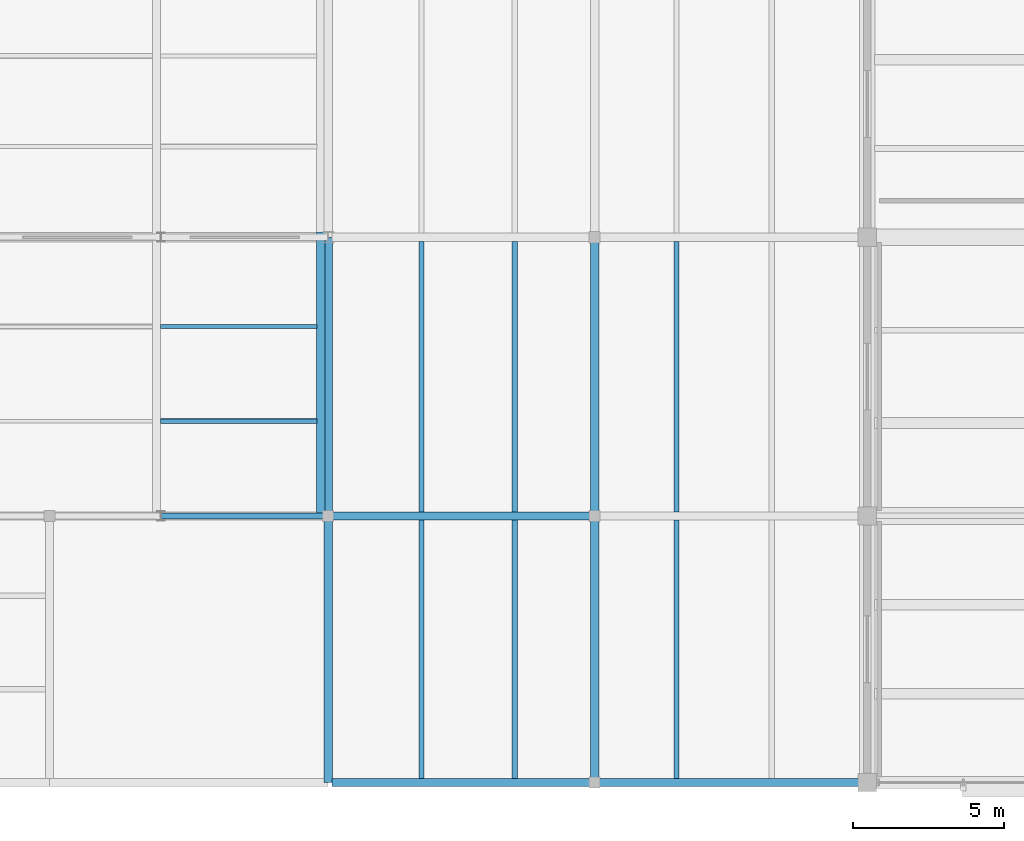
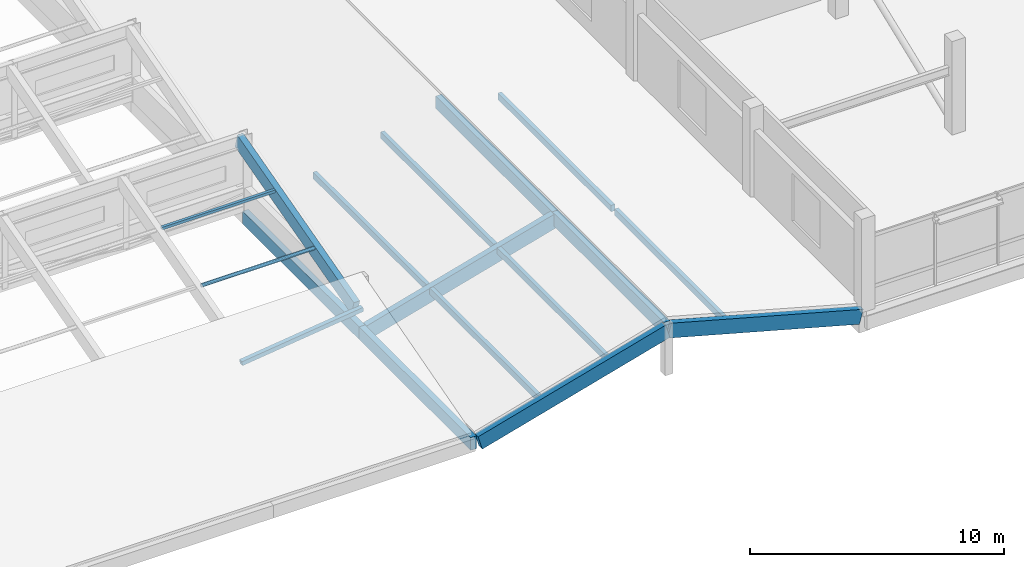
# One storey, part 12 of 77: 9 members, 8 beams.
"""IFC4 building model written with IfcOpenShell, lengths in metres."""

from ifc_helpers import new_model, si_unit, direction, frame, origin, origin_2d, place, context, subcontext, project, spatial, rectangle, hollow_rectangle, hollow_circle, extrude, material, material_profile, profile_set, type_object, element, save


model = new_model("IFC4")

# Units and contexts
model_context = context("Model", 3, precision=1e-05, world=origin(), true_north=direction((0.0, 1.0)))
body_context = subcontext(model_context, "Body", "Model", "MODEL_VIEW")
ifc_project = project(units=[si_unit("LENGTHUNIT", "METRE"), si_unit("AREAUNIT", "SQUARE_METRE"), si_unit("VOLUMEUNIT", "CUBIC_METRE"), si_unit("PLANEANGLEUNIT", "RADIAN"), si_unit("MASSUNIT", "GRAM", prefix="KILO")], contexts=[model_context])

# Site, building, storey
site_placement = place(None, origin())
site = spatial("IfcSite", under=ifc_project, at=site_placement, CompositionType="ELEMENT")
building_placement = place(site_placement, origin())
building = spatial("IfcBuilding", under=site, at=building_placement, Name="Meriwether Solvik Hall", CompositionType="ELEMENT")
storey_placement = place(building_placement, frame((0.0, 0.0, 9.89990234375)))
storey = spatial("IfcBuildingStorey", under=building, at=storey_placement, Name="L02", CompositionType="ELEMENT", Elevation=9.89990234375)

# Beams
ifc_material_1 = material(Name="Glulam Douglas-Fir 24F-V8 GL28h", Category="wood")
ifc_material_profile_1 = material_profile(ifc_material_1, rectangle(XDim=0.27294921875, YDim=0.610107421875, at=origin_2d()), Name="GLB-273X610")
ifc_profile_set_1 = profile_set([ifc_material_profile_1], Name="Glulam Douglas-Fir 24F-V8 GL28h")
beam_type_1 = type_object("IfcBeamType", Name="BM-GL-273X610", PredefinedType="SPANDREL", material=ifc_profile_set_1)
beam_1_placement = place(storey_placement, frame((41.60009765625, 5.199951171875, -0.323974609375), z_axis=(0.0, 1.0, 0.0), x_axis=(-1.0, 0.0, 0.0)))
element("IfcBeam", 1, at=beam_1_placement, inside=storey, type_object=beam_type_1, Name="Roof Tie Beam 5:A-B (L02)", PredefinedType="SPANDREL", context=body_context, shape_type="SweptSolid", body=[
    extrude(rectangle(XDim=0.27294921875, YDim=0.610107421875, at=origin_2d()), origin(), (0.0, 0.0, 1.0), 8.800048828125),
])
beam_2_placement = place(storey_placement, frame((41.60009765625, 14.0, -0.323974609375), z_axis=(0.0, 1.0, 0.0), x_axis=(-1.0, 0.0, 0.0)))
element("IfcBeam", 2, at=beam_2_placement, inside=storey, type_object=beam_type_1, Name="Roof Tie Beam 5:B-C (L02)", PredefinedType="SPANDREL", context=body_context, shape_type="SweptSolid", body=[
    extrude(rectangle(XDim=0.27294921875, YDim=0.610107421875, at=origin_2d()), origin(), (0.0, 0.0, 1.0), 9.199951171875),
])
beam_3_placement = place(storey_placement, frame((50.39990234375, 5.199951171875, 2.135986328125), z_axis=(0.0, 1.0, 0.0), x_axis=(-1.0, 0.0, 0.0)))
element("IfcBeam", 3, at=beam_3_placement, inside=storey, type_object=beam_type_1, Name="Roof Tie Beam 6:A-B (L02)", PredefinedType="SPANDREL", context=body_context, shape_type="SweptSolid", body=[
    extrude(rectangle(XDim=0.27294921875, YDim=0.610107421875, at=origin_2d()), origin(), (0.0, 0.0, 1.0), 8.800048828125),
])
beam_4_placement = place(storey_placement, frame((50.39990234375, 14.0, 2.135986328125), z_axis=(0.0, 1.0, 0.0), x_axis=(-1.0, 0.0, 0.0)))
element("IfcBeam", 4, at=beam_4_placement, inside=storey, type_object=beam_type_1, Name="Roof Tie Beam 6:B-C (L02)", PredefinedType="SPANDREL", context=body_context, shape_type="SweptSolid", body=[
    extrude(rectangle(XDim=0.27294921875, YDim=0.610107421875, at=origin_2d()), origin(), (0.0, 0.0, 1.0), 9.199951171875),
])
ifc_material_2 = material(Name="Glulam Douglas-Fir 24F-V8 GL28h", Category="wood")
ifc_material_profile_2 = material_profile(ifc_material_2, rectangle(XDim=0.27294921875, YDim=0.68505859375, at=origin_2d()), Name="GLB-273X685")
ifc_profile_set_2 = profile_set([ifc_material_profile_2], Name="Glulam Douglas-Fir 24F-V8 GL28h")
beam_type_2 = type_object("IfcBeamType", Name="BM-GL-273X685", PredefinedType="BEAM", material=ifc_profile_set_2)
for number, where, z_axis, x_axis, name in (
    (5, (41.8203125, 5.199951171875, -0.31298828125), (0.963077401933, 0.0, 0.269224660621), (0.0, 1.0, 0.0), "Raking Glulam Roof Rafter w1_east_gbl_w-A (L02)"),
    (6, (41.8203125, 14.0, -0.31298828125), (0.963077401933, 0.0, 0.269224660621), (0.0, 1.0, 0.0), "Raking Glulam Roof Rafter w1_east_gbl_w-B (L02)"),
):
    element("IfcBeam", number, at=place(storey_placement, frame(where, z_axis=z_axis, x_axis=x_axis)), inside=storey, type_object=beam_type_2, Name=name, PredefinedType="BEAM", context=body_context, shape_type="SweptSolid", body=[
        extrude(rectangle(XDim=0.27294921875, YDim=0.68505859375, at=origin_2d()), origin(), (0.0, 0.0, 1.0), 8.87158203125),
    ])
beam_5_placement = place(storey_placement, frame((59.181640625, 5.199951171875, -0.314208984375), z_axis=(-0.964611383686, 0.0, 0.263675707002), x_axis=(0.0, -1.0, 0.0)))
element("IfcBeam", 7, at=beam_5_placement, inside=storey, type_object=beam_type_2, Name="Raking Glulam Roof Rafter w1_east_gbl_e-A (L02)", PredefinedType="BEAM", context=body_context, shape_type="SweptSolid", body=[
    extrude(rectangle(XDim=0.27294921875, YDim=0.68505859375, at=origin_2d()), origin(), (0.0, 0.0, 1.0), 9.064697265625),
])
beam_6_placement = place(storey_placement, frame((41.360107421875, 14.08984375, 0.89453125), z_axis=(0.0, 0.965005119019, 0.262231043674), x_axis=(-1.0, 0.0, 0.0)))
element("IfcBeam", 8, at=beam_6_placement, inside=storey, type_object=beam_type_2, Name="Sanctuary Sawtooth Rafter 1.6", PredefinedType="BEAM", context=body_context, shape_type="SweptSolid", body=[
    extrude(rectangle(XDim=0.27294921875, YDim=0.68505859375, at=origin_2d()), origin(), (0.0, 0.0, 1.0), 9.53369140625),
])

# Members
ifc_material_3 = material(Name="Steel A500 Grade C", Category="steel")
ifc_material_profile_3 = material_profile(ifc_material_3, hollow_rectangle(XDim=0.202880859375, YDim=0.202880859375, WallThickness=0.0126953125, at=origin_2d()), Name="HSS203X203X12.7")
ifc_profile_set_3 = profile_set([ifc_material_profile_3], Name="Steel A500 Grade C")
member_type_1 = type_object("IfcMemberType", Name="MEM-BR-HSS203", PredefinedType="BRACE", material=ifc_profile_set_3)
member_1_placement = place(storey_placement, frame((36.080078125, 14.0, 0.150146484375), z_axis=(0.992279227016, 0.0, 0.124023931692), x_axis=(0.0, 1.0, 0.0)))
element("IfcMember", 9, at=member_1_placement, inside=storey, type_object=member_type_1, Name="Sanctuary Truss T1 Diagonal 5", PredefinedType="BRACE", context=body_context, shape_type="SweptSolid", body=[
    extrude(hollow_rectangle(XDim=0.202880859375, YDim=0.202880859375, WallThickness=0.0126953125, at=origin_2d()), origin(), (0.0, 0.0, 1.0), 5.56298828125),
])
ifc_material_4 = material(Name="Steel A500 Grade C", Category="steel")
ifc_material_profile_4 = material_profile(ifc_material_4, hollow_circle(Radius=0.084228515625, WallThickness=0.0078125, at=origin_2d()), Name="CHS168X7.9")
ifc_profile_set_4 = profile_set([ifc_material_profile_4], Name="Steel A500 Grade C")
member_type_2 = type_object("IfcMemberType", Name="MEM-PRL-CHS168", PredefinedType="PURLIN", material=ifc_profile_set_4)
member_2_placement = place(storey_placement, frame((36.068115234375, 17.1279296875, 1.968994140625), z_axis=(1.0, 0.0, 0.0), x_axis=(0.0, 1.0, 0.0)))
element("IfcMember", 10, at=member_2_placement, inside=storey, type_object=member_type_2, Name="Sanctuary Sawtooth Purlin 1.5.1", PredefinedType="PURLIN", context=body_context, shape_type="SweptSolid", body=[
    extrude(hollow_circle(Radius=0.084228515625, WallThickness=0.0078125, at=origin_2d()), origin(), (0.0, 0.0, 1.0), 5.159912109375),
])
ifc_material_5 = material(Name="Glulam Douglas-Fir 24F-V8 GL28h", Category="wood")
ifc_material_profile_5 = material_profile(ifc_material_5, rectangle(XDim=0.175048828125, YDim=0.304931640625, at=origin_2d()), Name="GLM-175X305")
ifc_profile_set_5 = profile_set([ifc_material_profile_5], Name="Glulam Douglas-Fir 24F-V8 GL28h")
member_type_3 = type_object("IfcMemberType", Name="MEM-PRL-GL175", PredefinedType="PURLIN", material=ifc_profile_set_5)
for number, where, z_axis, x_axis, name in (
    (11, (44.679931640625, 5.33251953125, 0.689453125), (0.0, 1.0, 0.0), (-1.0, 0.0, 0.0), "Sloped Roof Glulam Purlin w1_east_gbl_w-1.1"),
    (12, (47.760009765625, 5.33251953125, 1.550537109375), (0.0, 1.0, 0.0), (-1.0, 0.0, 0.0), "Sloped Roof Glulam Purlin w1_east_gbl_w-1.2"),
):
    element("IfcMember", number, at=place(storey_placement, frame(where, z_axis=z_axis, x_axis=x_axis)), inside=storey, type_object=member_type_3, Name=name, PredefinedType="PURLIN", context=body_context, shape_type="SweptSolid", body=[
        extrude(rectangle(XDim=0.175048828125, YDim=0.304931640625, at=origin_2d()), origin(), (0.0, 0.0, 1.0), 8.534912109375),
    ])
for number, where, z_axis, x_axis, name in (
    (13, (44.679931640625, 14.132568359375, 0.689453125), (0.0, 1.0, 0.0), (-1.0, 0.0, 0.0), "Sloped Roof Glulam Purlin w1_east_gbl_w-2.1"),
    (14, (47.760009765625, 14.132568359375, 1.550537109375), (0.0, 1.0, 0.0), (-1.0, 0.0, 0.0), "Sloped Roof Glulam Purlin w1_east_gbl_w-2.2"),
):
    element("IfcMember", number, at=place(storey_placement, frame(where, z_axis=z_axis, x_axis=x_axis)), inside=storey, type_object=member_type_3, Name=name, PredefinedType="PURLIN", context=body_context, shape_type="SweptSolid", body=[
        extrude(rectangle(XDim=0.175048828125, YDim=0.304931640625, at=origin_2d()), origin(), (0.0, 0.0, 1.0), 8.934814453125),
    ])
member_3_placement = place(storey_placement, frame((53.10009765625, 5.33251953125, 1.55078125), z_axis=(0.0, 1.0, 0.0), x_axis=(-1.0, 0.0, 0.0)))
element("IfcMember", 15, at=member_3_placement, inside=storey, type_object=member_type_3, Name="Sloped Roof Glulam Purlin w1_east_gbl_e-1.2", PredefinedType="PURLIN", context=body_context, shape_type="SweptSolid", body=[
    extrude(rectangle(XDim=0.175048828125, YDim=0.304931640625, at=origin_2d()), origin(), (0.0, 0.0, 1.0), 8.534912109375),
])
member_4_placement = place(storey_placement, frame((53.10009765625, 14.132568359375, 1.55078125), z_axis=(0.0, 1.0, 0.0), x_axis=(-1.0, 0.0, 0.0)))
element("IfcMember", 16, at=member_4_placement, inside=storey, type_object=member_type_3, Name="Sloped Roof Glulam Purlin w1_east_gbl_e-2.2", PredefinedType="PURLIN", context=body_context, shape_type="SweptSolid", body=[
    extrude(rectangle(XDim=0.175048828125, YDim=0.304931640625, at=origin_2d()), origin(), (0.0, 0.0, 1.0), 8.934814453125),
])
ifc_material_6 = material(Name="Steel A500 Grade C", Category="steel")
ifc_material_profile_6 = material_profile(ifc_material_6, hollow_rectangle(XDim=0.126953125, YDim=0.126953125, WallThickness=0.0078125, at=origin_2d()), Name="HSS127X127X7.9")
ifc_profile_set_6 = profile_set([ifc_material_profile_6], Name="Steel A500 Grade C")
member_type_4 = type_object("IfcMemberType", Name="MEM-PRL-HSS127", PredefinedType="PURLIN", material=ifc_profile_set_6)
member_5_placement = place(storey_placement, frame((36.068115234375, 20.256103515625, 2.839599609375), z_axis=(1.0, 0.0, 0.0), x_axis=(0.0, 1.0, 0.0)))
element("IfcMember", 17, at=member_5_placement, inside=storey, type_object=member_type_4, Name="Sanctuary Sawtooth Purlin 1.5.2", PredefinedType="PURLIN", context=body_context, shape_type="SweptSolid", body=[
    extrude(hollow_rectangle(XDim=0.126953125, YDim=0.126953125, WallThickness=0.0078125, at=origin_2d()), origin(), (0.0, 0.0, 1.0), 5.159912109375),
])

save(model, "model.ifc")
